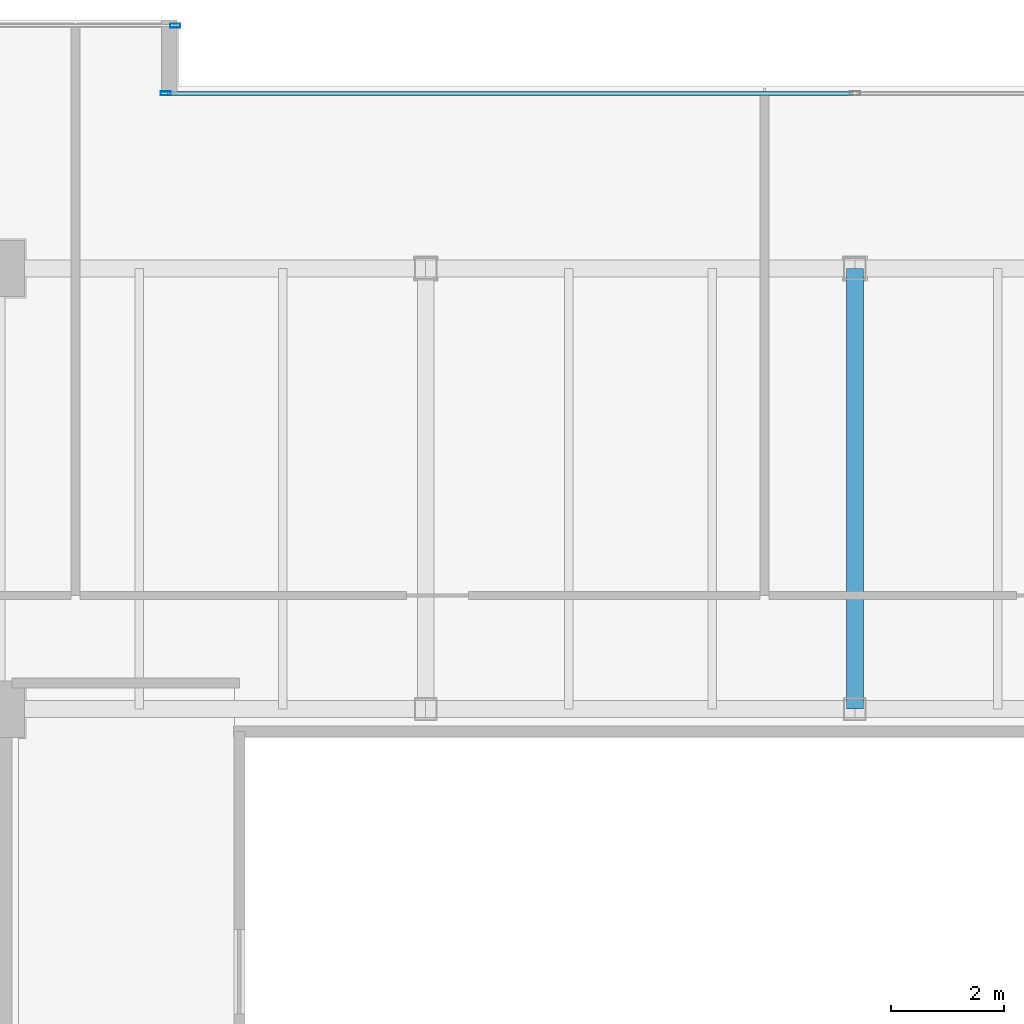
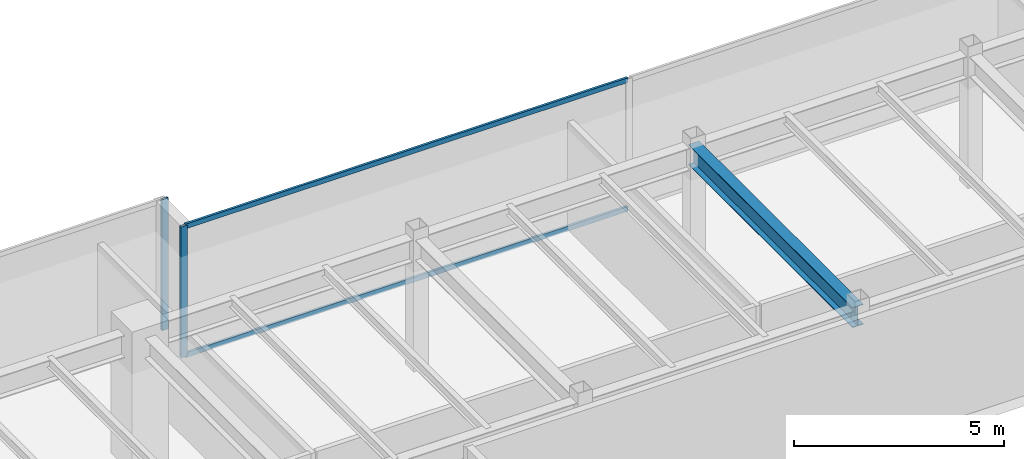
# One storey, part 17 of 35: 4 members, 1 beam, 2 elements without a shape of their own.
"""IFC4 building model written with IfcOpenShell, lengths in metres."""

from ifc_helpers import new_model, si_unit, direction, frame, origin, origin_2d, place, context, subcontext, project, spatial, hollow_rectangle, i_section, extrude, source, transform, mapped, material, layer, layer_set, material_profile, profile_set, type_object, type_shapes, element, aggregate, save


model = new_model("IFC4")

# Units and contexts
model_context = context("Model", 3, precision=1e-05, world=origin(), true_north=direction((0.0, 1.0)))
body_context = subcontext(model_context, "Body", "Model", "MODEL_VIEW")
ifc_project = project(units=[si_unit("LENGTHUNIT", "METRE"), si_unit("AREAUNIT", "SQUARE_METRE"), si_unit("VOLUMEUNIT", "CUBIC_METRE"), si_unit("PLANEANGLEUNIT", "RADIAN"), si_unit("MASSUNIT", "GRAM", prefix="KILO")], contexts=[model_context])

# Site, building, storey
site_placement = place(None, origin())
site = spatial("IfcSite", under=ifc_project, at=site_placement, CompositionType="ELEMENT")
building_placement = place(site_placement, origin())
building = spatial("IfcBuilding", under=site, at=building_placement, Name="Haelvirn Gate Laboratories", CompositionType="ELEMENT")
storey_placement = place(building_placement, frame((0.0, 0.0, 234.199951171875)))
storey = spatial("IfcBuildingStorey", under=building, at=storey_placement, Name="L56", CompositionType="ELEMENT", Elevation=234.199951171875)

# Beam
ifc_material_1 = material(Name="Steel SM355", Category="steel")
ifc_material_profile_1 = material_profile(ifc_material_1, i_section(OverallWidth=0.300048828125, OverallDepth=0.587890625, WebThickness=0.011962890625, FlangeThickness=0.02001953125, at=origin_2d()), Name="H-588x300x12x20")
ifc_profile_set_1 = profile_set([ifc_material_profile_1], Name="Steel SM355")
beam_type = type_object("IfcBeamType", Name="BM-G-588", PredefinedType="BEAM", material=ifc_profile_set_1)
shared_shape_1 = source(origin(), body_context, "Body", "SweptSolid", [
    extrude(i_section(OverallWidth=0.300048828125, OverallDepth=0.587890625, WebThickness=0.011962890625, FlangeThickness=0.02001953125, at=origin_2d()), origin(), (0.0, 0.0, 1.0), 7.800048828125),
])
type_shapes(beam_type, [shared_shape_1])
beam_placement = place(storey_placement, frame((37.39990234375, 33.800048828125, 3.506103515625), z_axis=(0.0, 1.0, 0.0), x_axis=(-1.0, 0.0, 0.0)))
element("IfcBeam", 1, at=beam_placement, inside=storey, type_object=beam_type, Name="L56 Frame Girder X37.4 (33.8-41.6)", PredefinedType="BEAM", context=body_context, shape_type="MappedRepresentation", body=[
    mapped(shared_shape_1, transform((0.0, 0.0, 0.0), scale=1.0)),
])

# Curtain wall, members
ifc_material_2 = material(Name="Anodised bronze unitised aluminium & triple low-E glass", Category="aluminium")
ifc_layer = layer(ifc_material_2, 0.176025390625, Name="CW-SYS-4")
ifc_layer_set = layer_set([ifc_layer], Name="Anodised bronze unitised aluminium & triple low-E glass")
curtain_wall_type = type_object("IfcCurtainWallType", Name="CW-SYS-4", PredefinedType="NOTDEFINED", material=ifc_layer_set)
curtain_wall_1_placement = place(storey_placement, origin())
curtain_wall_1 = element("IfcCurtainWall", 2, at=curtain_wall_1_placement, inside=storey, type_object=curtain_wall_type, Name="L56 Unitised Curtain Wall CW-L56-P0-E12-1", PredefinedType="NOTDEFINED")
ifc_material_3 = material(Name="Extruded aluminium 6063-T6 (anodised bronze)", Category="aluminium")
ifc_material_profile_2 = material_profile(ifc_material_3, hollow_rectangle(XDim=0.06494140625, YDim=0.139892578125, WallThickness=0.00390625, at=origin_2d()), Name="CWT-140x65x4")
ifc_profile_set_2 = profile_set([ifc_material_profile_2], Name="Extruded aluminium 6063-T6 (anodised bronze)")
member_type_1 = type_object("IfcMemberType", Name="CWT-T140", PredefinedType="USERDEFINED", material=ifc_profile_set_2)
shared_shape_2 = source(origin(), body_context, "Body", "SweptSolid", [
    extrude(hollow_rectangle(XDim=0.06494140625, YDim=0.139892578125, WallThickness=0.00390625, at=origin_2d()), origin(), (0.0, 0.0, 1.0), 12.135009765625),
])
type_shapes(member_type_1, [shared_shape_2])
member_1_placement = place(storey_placement, frame((25.22998046875, 44.699951171875, 0.032470703125), z_axis=(1.0, 0.0, 0.0), x_axis=(0.0, 1.0, 0.0)))
member_1 = element("IfcMember", 3, at=member_1_placement, type_object=member_type_1, Name="CW4 transom 1.1", ObjectType="TRANSOM", PredefinedType="USERDEFINED", context=body_context, shape_type="MappedRepresentation", body=[
    mapped(shared_shape_2, transform((0.0, 0.0, 0.0), scale=1.0)),
])
member_2_placement = place(storey_placement, frame((25.22998046875, 44.699951171875, 3.767578125), z_axis=(1.0, 0.0, 0.0), x_axis=(0.0, 1.0, 0.0)))
member_2 = element("IfcMember", 4, at=member_2_placement, type_object=member_type_1, Name="CW4 transom 1.2", ObjectType="TRANSOM", PredefinedType="USERDEFINED", context=body_context, shape_type="MappedRepresentation", body=[
    mapped(shared_shape_2, transform((0.0, 0.0, 0.0), scale=1.0)),
])
ifc_material_profile_3 = material_profile(ifc_material_3, hollow_rectangle(XDim=0.070068359375, YDim=0.179931640625, WallThickness=0.0048828125, at=origin_2d()), Name="CWM-180x70x5")
ifc_profile_set_3 = profile_set([ifc_material_profile_3], Name="Extruded aluminium 6063-T6 (anodised bronze)")
member_type_2 = type_object("IfcMemberType", Name="CWM-T180", PredefinedType="MULLION", material=ifc_profile_set_3)
shared_shape_3 = source(origin(), body_context, "Body", "SweptSolid", [
    extrude(hollow_rectangle(XDim=0.070068359375, YDim=0.179931640625, WallThickness=0.0048828125, at=origin_2d()), origin(), (0.0, 0.0, 1.0), 3.800048828125),
])
type_shapes(member_type_2, [shared_shape_3])
member_3_placement = place(storey_placement, frame((25.195068359375, 44.699951171875, 0.0), z_axis=(0.0, 0.0, 1.0), x_axis=(0.0, 1.0, 0.0)))
member_3 = element("IfcMember", 5, at=member_3_placement, type_object=member_type_2, Name="CW4 mullion 1", PredefinedType="MULLION", context=body_context, shape_type="MappedRepresentation", body=[
    mapped(shared_shape_3, transform((0.0, 0.0, 0.0), scale=1.0)),
])
aggregate(curtain_wall_1, [member_3, member_1, member_2])

# Curtain wall, member
curtain_wall_2_placement = place(storey_placement, origin())
curtain_wall_2 = element("IfcCurtainWall", 6, at=curtain_wall_2_placement, inside=storey, type_object=curtain_wall_type, Name="L56 Unitised Curtain Wall CW-L56-P0-E14-1", PredefinedType="NOTDEFINED")
member_4_placement = place(storey_placement, frame((25.364990234375, 45.89990234375, 0.0), z_axis=(0.0, 0.0, 1.0), x_axis=(0.0, 1.0, 0.0)))
member_4 = element("IfcMember", 7, at=member_4_placement, type_object=member_type_2, Name="CW4 mullion 3", PredefinedType="MULLION", context=body_context, shape_type="MappedRepresentation", body=[
    mapped(shared_shape_3, transform((0.0, 0.0, 0.0), scale=1.0)),
])
aggregate(curtain_wall_2, [member_4])

save(model, "model.ifc")
